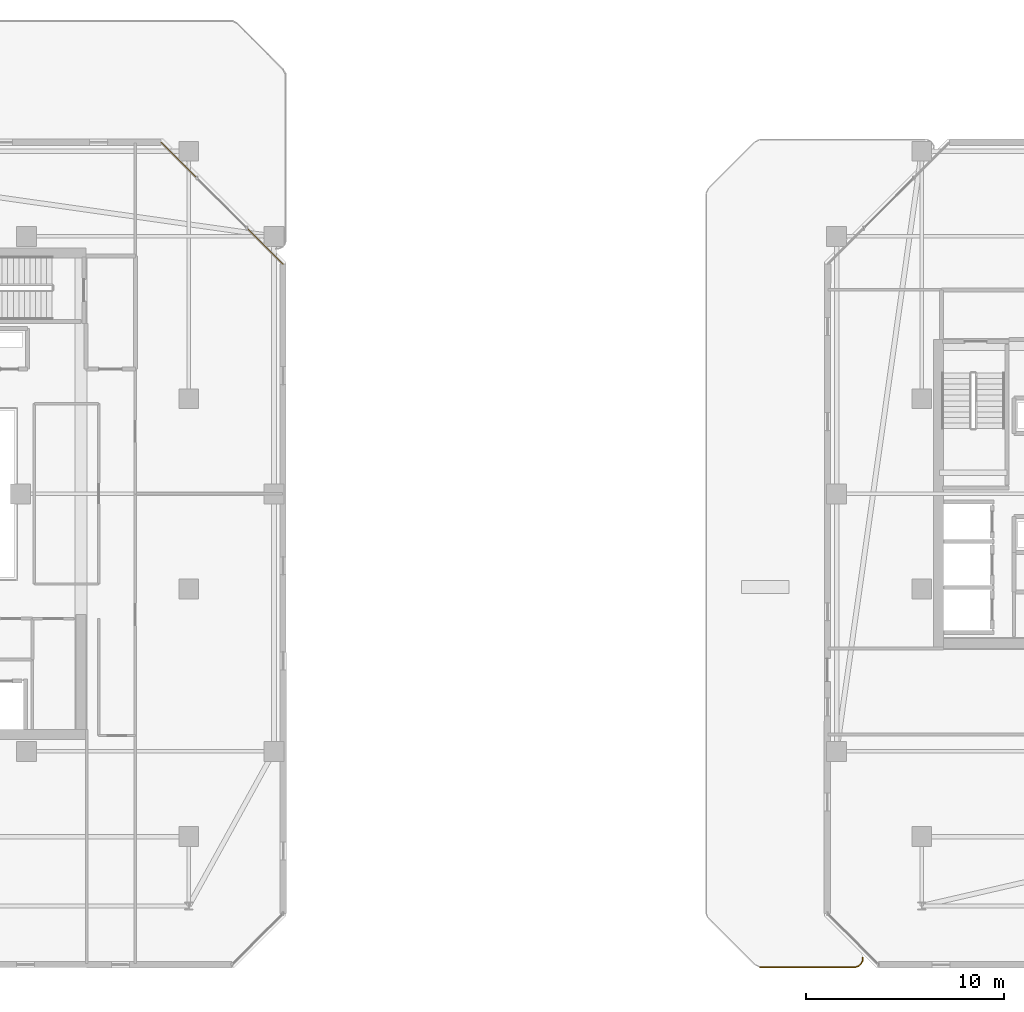
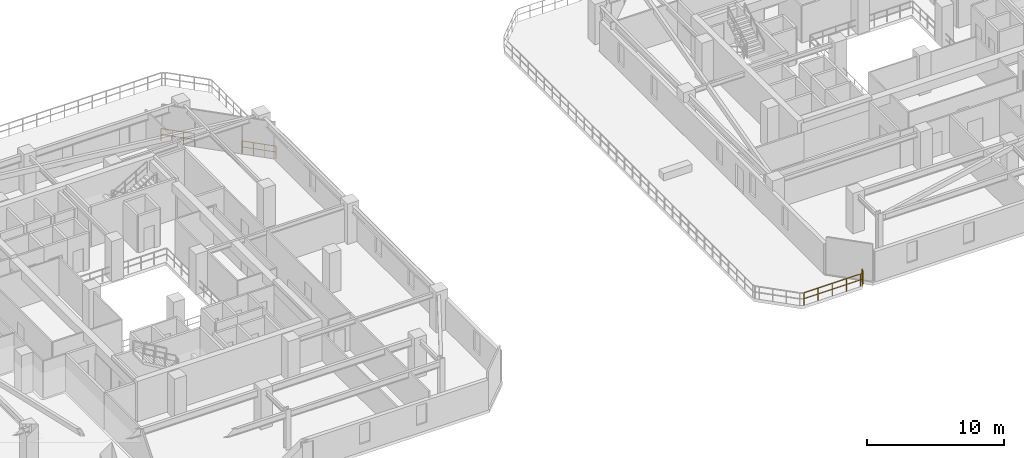
# One storey, part 27 of 29: 3 railings.
"""IFC4 building model written with IfcOpenShell, lengths in metres."""

from ifc_helpers import new_model, si_unit, direction, frame, origin, origin_2d, place, context, subcontext, project, spatial, rectangle, extrude, material, type_object, element, save


model = new_model("IFC4")

# Units and contexts
model_context = context("Model", 3, precision=1e-05, world=origin(), true_north=direction((0.0, 1.0)))
body_context = subcontext(model_context, "Body", "Model", "MODEL_VIEW")
ifc_project = project(units=[si_unit("LENGTHUNIT", "METRE"), si_unit("AREAUNIT", "SQUARE_METRE"), si_unit("VOLUMEUNIT", "CUBIC_METRE"), si_unit("PLANEANGLEUNIT", "RADIAN"), si_unit("MASSUNIT", "GRAM", prefix="KILO")], contexts=[model_context])

# Site, building, storey
site_placement = place(None, origin())
site = spatial("IfcSite", under=ifc_project, at=site_placement, CompositionType="ELEMENT")
building_placement = place(site_placement, origin())
building = spatial("IfcBuilding", under=site, at=building_placement, Name="Thornwick Lancets Civic Towers", CompositionType="ELEMENT")
storey_placement = place(building_placement, frame((0.0, 0.0, 229.5)))
storey = spatial("IfcBuildingStorey", under=building, at=storey_placement, Name="L61", CompositionType="ELEMENT", Elevation=229.5)

# Railings
ifc_material = material(Name="Terracotta-capped laminated glass balustrade S355", Category="masonry")
railing_type = type_object("IfcRailingType", Name="RAIL_TERR_GUARD", PredefinedType="GUARDRAIL", material=ifc_material)
for number, where, name in (
    (1, (43.252685546875, 38.596435546875, 0.0), "L61 Tower A Chamfer Spandrel Guard E3-1"),
    (2, (38.908447265625, 42.940673828125, 0.0), "L61 Tower A Chamfer Spandrel Guard E3-2"),
):
    element("IfcRailing", number, at=place(storey_placement, frame(where)), inside=storey, type_object=railing_type, Name=name, PredefinedType="GUARDRAIL", context=body_context, shape_type="SweptSolid", body=[
        extrude(rectangle(XDim=0.048095703125, YDim=0.048095703125, at=origin_2d()), frame((0.0, 0.0, 1.1259765625), z_axis=(-0.707106781187, 0.707106781187, 0.0), x_axis=(-0.707106781187, -0.707106781187, 0.0)), (0.0, 0.0, 1.0), 2.5625),
        extrude(rectangle(XDim=0.0419921875, YDim=0.0419921875, at=origin_2d()), frame((-0.026611328125, 0.026611328125, 0.597900390625), z_axis=(-0.707106781187, 0.707106781187, 0.0), x_axis=(-0.707106781187, -0.707106781187, 0.0)), (0.0, 0.0, 1.0), 0.779296875),
        extrude(rectangle(XDim=0.0419921875, YDim=0.0419921875, at=origin_2d()), frame((-0.630615234375, 0.630615234375, 0.597900390625), z_axis=(-0.707106781187, 0.707106781187, 0.0), x_axis=(-0.707106781187, -0.707106781187, 0.0)), (0.0, 0.0, 1.0), 0.779296875),
        extrude(rectangle(XDim=0.0419921875, YDim=0.0419921875, at=origin_2d()), frame((-1.234619140625, 1.234619140625, 0.597900390625), z_axis=(-0.707106781187, 0.707106781187, 0.0), x_axis=(-0.707106781187, -0.707106781187, 0.0)), (0.0, 0.0, 1.0), 0.779296875),
        extrude(rectangle(XDim=0.0419921875, YDim=0.0419921875, at=origin_2d()), origin(), (0.0, 0.0, 1.0), 1.095703125),
        extrude(rectangle(XDim=0.0419921875, YDim=0.0419921875, at=origin_2d()), frame((-0.60400390625, 0.60400390625, 0.0)), (0.0, 0.0, 1.0), 1.095703125),
        extrude(rectangle(XDim=0.0419921875, YDim=0.0419921875, at=origin_2d()), frame((-1.2080078125, 1.2080078125, 0.0)), (0.0, 0.0, 1.0), 1.095703125),
        extrude(rectangle(XDim=0.0419921875, YDim=0.0419921875, at=origin_2d()), frame((-1.81201171875, 1.81201171875, 0.0)), (0.0, 0.0, 1.0), 1.095703125),
    ])
railing_placement = place(storey_placement, frame((72.53271484375, 3.59765625, 0.0)))
element("IfcRailing", 3, at=railing_placement, inside=storey, type_object=railing_type, Name="L61 Tower B Sky-Garden Guard 1 Part 2", PredefinedType="GUARDRAIL", context=body_context, shape_type="SweptSolid", body=[
    extrude(rectangle(XDim=0.048095703125, YDim=0.048095703125, at=origin_2d()), frame((0.0, 0.0, 1.1259765625), z_axis=(-0.094101126617, -0.99556264392, 0.0), x_axis=(0.99556264392, -0.094101126617, 0.0)), (0.0, 0.0, 1.0), 0.147705078125),
    extrude(rectangle(XDim=0.0419921875, YDim=0.0419921875, at=origin_2d()), frame((-0.00341796875, -0.037353515625, 0.597900390625), z_axis=(-0.094101126617, -0.99556264392, 0.0), x_axis=(0.99556264392, -0.094101126617, 0.0)), (0.0, 0.0, 1.0), 0.10400390625),
    extrude(rectangle(XDim=0.048095703125, YDim=0.048095703125, at=origin_2d()), frame((-0.031494140625, -0.205810546875, 1.1259765625), z_axis=(-0.470948722639, -0.882160586654, 0.0), x_axis=(0.882160586654, -0.470948722639, 0.0)), (0.0, 0.0, 1.0), 0.11328125),
    extrude(rectangle(XDim=0.0419921875, YDim=0.0419921875, at=origin_2d()), frame((-0.034423828125, -0.211181640625, 0.597900390625), z_axis=(-0.470948722639, -0.882160586654, 0.0), x_axis=(0.882160586654, -0.470948722639, 0.0)), (0.0, 0.0, 1.0), 0.100830078125),
    extrude(rectangle(XDim=0.048095703125, YDim=0.048095703125, at=origin_2d()), frame((-0.123779296875, -0.35302734375, 1.1259765625), z_axis=(-0.773213238462, -0.634146109242, 0.0), x_axis=(0.634146109242, -0.773213238462, 0.0)), (0.0, 0.0, 1.0), 0.113037109375),
    extrude(rectangle(XDim=0.0419921875, YDim=0.0419921875, at=origin_2d()), frame((-0.128662109375, -0.35693359375, 0.597900390625), z_axis=(-0.773213238462, -0.634146109242, 0.0), x_axis=(0.634146109242, -0.773213238462, 0.0)), (0.0, 0.0, 1.0), 0.1005859375),
    extrude(rectangle(XDim=0.048095703125, YDim=0.048095703125, at=origin_2d()), frame((-0.265380859375, -0.45361328125, 1.1259765625), z_axis=(-0.957211427299, -0.289389501276, 0.0), x_axis=(0.289389501276, -0.957211427299, 0.0)), (0.0, 0.0, 1.0), 0.113037109375),
    extrude(rectangle(XDim=0.0419921875, YDim=0.0419921875, at=origin_2d()), frame((-0.271240234375, -0.455322265625, 0.597900390625), z_axis=(-0.957211427299, -0.289389501276, 0.0), x_axis=(0.289389501276, -0.957211427299, 0.0)), (0.0, 0.0, 1.0), 0.1005859375),
    extrude(rectangle(XDim=0.048095703125, YDim=0.048095703125, at=origin_2d()), frame((-0.4345703125, -0.495361328125, 1.1259765625), z_axis=(-1.0, 0.0, 0.0), x_axis=(0.0, -1.0, 0.0)), (0.0, 0.0, 1.0), 4.755859375),
    extrude(rectangle(XDim=0.0419921875, YDim=0.0419921875, at=origin_2d()), frame((-0.44091796875, -0.495361328125, 0.597900390625), z_axis=(-1.0, 0.0, 0.0), x_axis=(0.0, -1.0, 0.0)), (0.0, 0.0, 1.0), 1.121826171875),
    extrude(rectangle(XDim=0.0419921875, YDim=0.0419921875, at=origin_2d()), frame((-1.6376953125, -0.495361328125, 0.597900390625), z_axis=(-1.0, 0.0, 0.0), x_axis=(0.0, -1.0, 0.0)), (0.0, 0.0, 1.0), 1.121826171875),
    extrude(rectangle(XDim=0.0419921875, YDim=0.0419921875, at=origin_2d()), frame((-2.83447265625, -0.495361328125, 0.597900390625), z_axis=(-1.0, 0.0, 0.0), x_axis=(0.0, -1.0, 0.0)), (0.0, 0.0, 1.0), 1.121826171875),
    extrude(rectangle(XDim=0.0419921875, YDim=0.0419921875, at=origin_2d()), frame((-4.03125, -0.495361328125, 0.597900390625), z_axis=(-1.0, 0.0, 0.0), x_axis=(0.0, -1.0, 0.0)), (0.0, 0.0, 1.0), 1.121826171875),
    extrude(rectangle(XDim=0.0419921875, YDim=0.0419921875, at=origin_2d()), origin(), (0.0, 0.0, 1.0), 1.095703125),
    extrude(rectangle(XDim=0.0419921875, YDim=0.0419921875, at=origin_2d()), frame((-0.016845703125, -0.17822265625, 0.0)), (0.0, 0.0, 1.0), 1.095703125),
    extrude(rectangle(XDim=0.0419921875, YDim=0.0419921875, at=origin_2d()), frame((-0.099609375, -0.333251953125, 0.0)), (0.0, 0.0, 1.0), 1.095703125),
    extrude(rectangle(XDim=0.0419921875, YDim=0.0419921875, at=origin_2d()), frame((-0.2353515625, -0.444580078125, 0.0)), (0.0, 0.0, 1.0), 1.095703125),
    extrude(rectangle(XDim=0.0419921875, YDim=0.0419921875, at=origin_2d()), frame((-0.4033203125, -0.495361328125, 0.0)), (0.0, 0.0, 1.0), 1.095703125),
    extrude(rectangle(XDim=0.0419921875, YDim=0.0419921875, at=origin_2d()), frame((-1.60009765625, -0.495361328125, 0.0)), (0.0, 0.0, 1.0), 1.095703125),
    extrude(rectangle(XDim=0.0419921875, YDim=0.0419921875, at=origin_2d()), frame((-2.796875, -0.495361328125, 0.0)), (0.0, 0.0, 1.0), 1.095703125),
    extrude(rectangle(XDim=0.0419921875, YDim=0.0419921875, at=origin_2d()), frame((-3.99365234375, -0.495361328125, 0.0)), (0.0, 0.0, 1.0), 1.095703125),
    extrude(rectangle(XDim=0.0419921875, YDim=0.0419921875, at=origin_2d()), frame((-5.1904296875, -0.495361328125, 0.0)), (0.0, 0.0, 1.0), 1.095703125),
])

save(model, "model.ifc")
